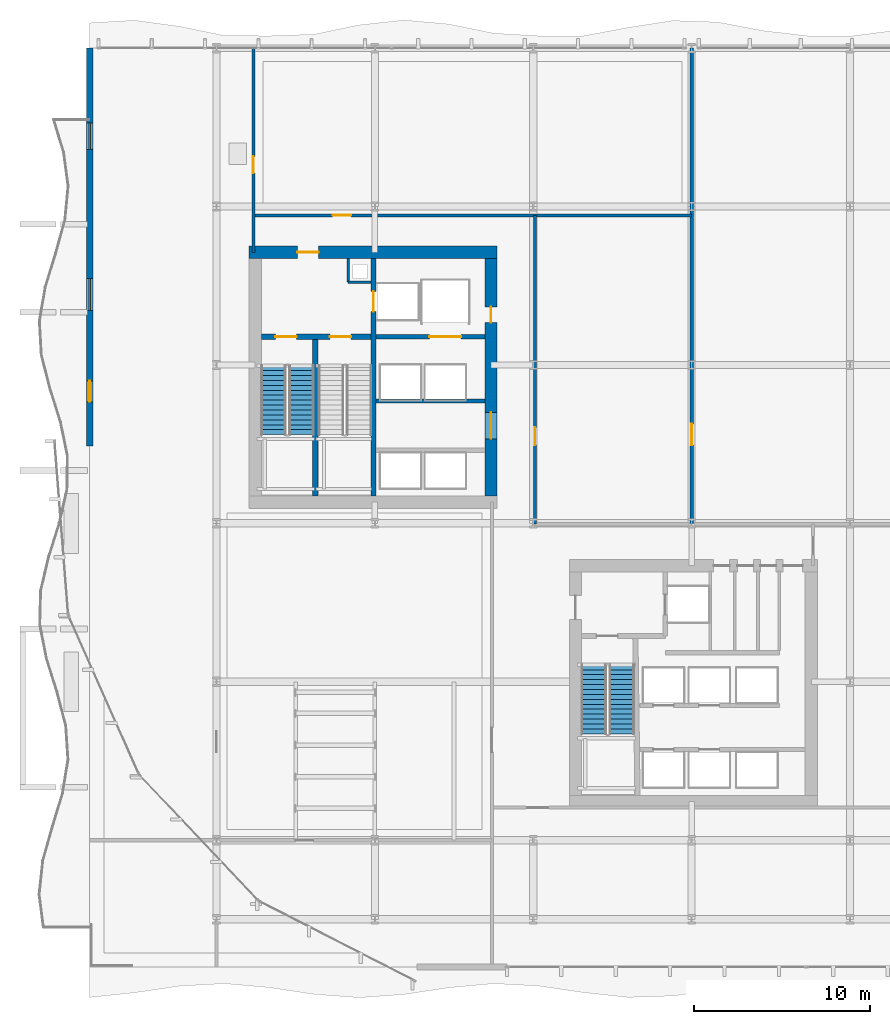
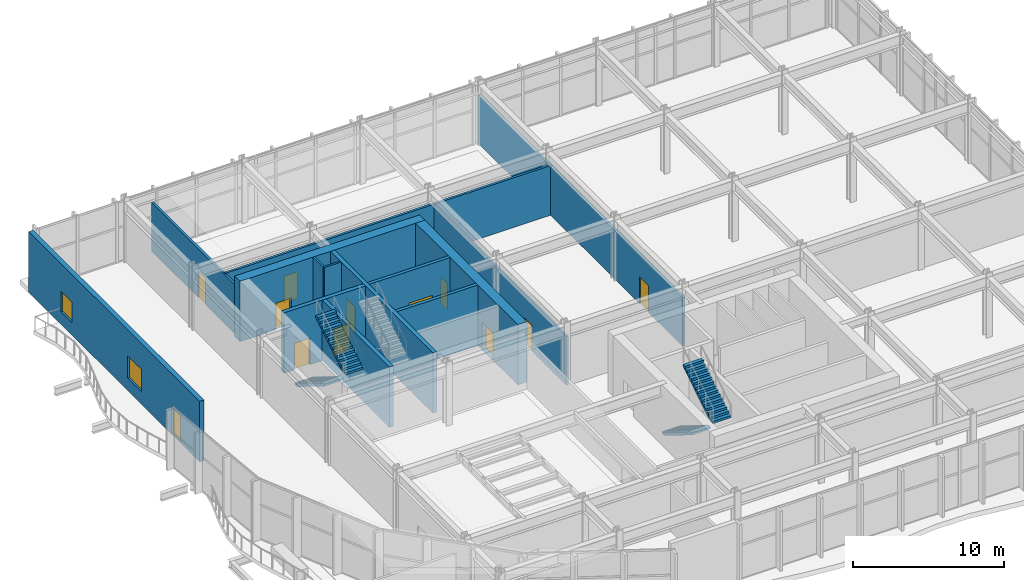
# One storey, part 24 of 33: 14 walls, 12 doors, 4 stair flights, 2 windows, 14 openings, 2 elements without a shape of their own.
"""IFC4 building model written with IfcOpenShell, lengths in metres."""

from ifc_helpers import new_model, si_unit, direction, frame, frame_2d, origin, place, context, subcontext, project, spatial, polyline, rectangle, outline, extrude, material, layer, layer_set, type_object, element, fill, aggregate, save


model = new_model("IFC4")

# Units and contexts
model_context = context("Model", 3, precision=1e-05, world=origin(), true_north=direction((0.0, 1.0)))
body_context = subcontext(model_context, "Body", "Model", "MODEL_VIEW")
ifc_project = project(units=[si_unit("LENGTHUNIT", "METRE"), si_unit("AREAUNIT", "SQUARE_METRE"), si_unit("VOLUMEUNIT", "CUBIC_METRE"), si_unit("PLANEANGLEUNIT", "RADIAN"), si_unit("MASSUNIT", "GRAM", prefix="KILO")], contexts=[model_context])

# Site, building, storey
site_placement = place(None, origin())
site = spatial("IfcSite", under=ifc_project, at=site_placement, CompositionType="ELEMENT")
building_placement = place(site_placement, origin())
building = spatial("IfcBuilding", under=site, at=building_placement, Name="Solvaryn Broadcast Tower", CompositionType="ELEMENT")
storey_placement = place(building_placement, frame((0.0, 0.0, 5.800048828125)))
storey = spatial("IfcBuildingStorey", under=building, at=storey_placement, Name="L01", CompositionType="ELEMENT", Elevation=5.800048828125)

# Wall, opening, door
ifc_material_1 = material(Name="Concrete f'c 70 MPa", Category="concrete")
ifc_layer_1 = layer(ifc_material_1, 0.699951171875)
ifc_layer_set_1 = layer_set([ifc_layer_1], Name="CW-SHEAR-700")
wall_type_1 = type_object("IfcWallType", Name="CW-SHEAR-700", PredefinedType="SHEAR", material=ifc_layer_set_1)
wall_1_placement = place(storey_placement, frame((24.949951171875, 42.39990234375, 0.0), z_axis=(0.0, 0.0, 1.0), x_axis=(-1.0, 0.0, 0.0)))
wall_1 = element("IfcWall", 1, at=wall_1_placement, inside=storey, type_object=wall_type_1, Name="L01 West Core North Shear Wall", PredefinedType="SHEAR", context=body_context, shape_type="SweptSolid", body=[
    extrude(rectangle(XDim=14.099853515625, YDim=0.699951171875, at=frame_2d((7.0498046875, 0.0))), origin(), (0.0, 0.0, 1.0), 4.8798828125),
])
opening_1_placement = place(wall_1_placement, frame((10.14990234375, 0.0, 0.0)))
opening_1 = element("IfcOpeningElement", 2, at=opening_1_placement, cuts=wall_1, Name="Opening FD90A", PredefinedType="OPENING", context=body_context, shape_type="SweptSolid", body=[
    extrude(rectangle(XDim=1.199951171875, YDim=2.14990234375, at=frame_2d((0.60009765625, 1.074951171875))), frame((0.0, 0.360107421875, 0.0), z_axis=(0.0, -1.0, 0.0), x_axis=(1.0, 0.0, 0.0)), (0.0, 0.0, 1.0), 0.719970703125),
])
ifc_material_2 = material(Name="Flush Acoustic Steel and Timber Door Assembly", Category="steel")
door_type_1 = type_object("IfcDoorType", Name="FD90-STAIR-1200X2150", OperationType="NOTDEFINED", PredefinedType="DOOR", material=ifc_material_2)
door_1_placement = place(opening_1_placement, origin())
door_1 = element("IfcDoor", 3, at=door_1_placement, inside=storey, type_object=door_type_1, Name="L01 West FSAE Lobby Corridor Door", OperationType="SINGLE_SWING_LEFT", OverallHeight=2.14990234375, OverallWidth=1.199951171875, PredefinedType="DOOR", context=body_context, shape_type="SweptSolid", body=[
    extrude(rectangle(XDim=1.199951171875, YDim=2.14990234375, at=frame_2d((0.60009765625, 1.074951171875))), frame((0.0, 0.02490234375, 0.0), z_axis=(0.0, -1.0, 0.0), x_axis=(1.0, 0.0, 0.0)), (0.0, 0.0, 1.0), 0.050048828125),
])
fill(opening_1, door_1)

# Wall, openings, doors
wall_2_placement = place(storey_placement, frame((24.60009765625, 28.550048828125, 0.0), z_axis=(0.0, 0.0, 1.0), x_axis=(0.0, 1.0, 0.0)))
wall_2 = element("IfcWall", 4, at=wall_2_placement, inside=storey, type_object=wall_type_1, Name="L01 West Core East Shear Wall", PredefinedType="SHEAR", context=body_context, shape_type="SweptSolid", body=[
    extrude(rectangle(XDim=13.5, YDim=0.699951171875, at=frame_2d((6.75, 0.0))), origin(), (0.0, 0.0, 1.0), 4.8798828125),
])
opening_2_placement = place(wall_2_placement, frame((3.25, 0.0, 0.0)))
opening_2 = element("IfcOpeningElement", 5, at=opening_2_placement, cuts=wall_2, Name="Opening FD60A", PredefinedType="OPENING", context=body_context, shape_type="SweptSolid", body=[
    extrude(rectangle(XDim=1.5, YDim=2.199951171875, at=frame_2d((0.75, 1.10009765625))), frame((0.0, 0.360107421875, 0.0), z_axis=(0.0, -1.0, 0.0), x_axis=(1.0, 0.0, 0.0)), (0.0, 0.0, 1.0), 0.719970703125),
])
opening_3_placement = place(wall_2_placement, frame((9.85009765625, 0.0, 0.0)))
opening_3 = element("IfcOpeningElement", 6, at=opening_3_placement, cuts=wall_2, Name="Opening FD60C", PredefinedType="OPENING", context=body_context, shape_type="SweptSolid", body=[
    extrude(rectangle(XDim=0.89990234375, YDim=2.10009765625, at=frame_2d((0.449951171875, 1.050048828125))), frame((0.0, 0.360107421875, 0.0), z_axis=(0.0, -1.0, 0.0), x_axis=(1.0, 0.0, 0.0)), (0.0, 0.0, 1.0), 0.719970703125),
])
ifc_material_3 = material(Name="Flush Acoustic Steel and Timber Door Assembly", Category="steel")
door_type_2 = type_object("IfcDoorType", Name="FD60-CORR-1500X2200", OperationType="NOTDEFINED", PredefinedType="DOOR", material=ifc_material_3)
door_2_placement = place(opening_2_placement, origin())
door_2 = element("IfcDoor", 7, at=door_2_placement, inside=storey, type_object=door_type_2, Name="L01 West Elevator Lobby Corridor Door", OperationType="DOUBLE_DOOR_SINGLE_SWING", OverallHeight=2.199951171875, OverallWidth=1.5, PredefinedType="DOOR", context=body_context, shape_type="SweptSolid", body=[
    extrude(rectangle(XDim=1.5, YDim=2.199951171875, at=frame_2d((0.75, 1.10009765625))), frame((0.0, 0.02490234375, 0.0), z_axis=(0.0, -1.0, 0.0), x_axis=(1.0, 0.0, 0.0)), (0.0, 0.0, 1.0), 0.050048828125),
])
fill(opening_2, door_2)
ifc_material_4 = material(Name="Flush Acoustic Steel and Timber Door Assembly", Category="steel")
door_type_3 = type_object("IfcDoorType", Name="FD60-SERV-900X2100", OperationType="NOTDEFINED", PredefinedType="DOOR", material=ifc_material_4)
door_3_placement = place(opening_3_placement, origin())
door_3 = element("IfcDoor", 8, at=door_3_placement, inside=storey, type_object=door_type_3, Name="L01 West Core Service Door 1", OperationType="SINGLE_SWING_LEFT", OverallHeight=2.10009765625, OverallWidth=0.89990234375, PredefinedType="DOOR", context=body_context, shape_type="SweptSolid", body=[
    extrude(rectangle(XDim=0.89990234375, YDim=2.10009765625, at=frame_2d((0.449951171875, 1.050048828125))), frame((0.0, 0.02490234375, 0.0), z_axis=(0.0, -1.0, 0.0), x_axis=(1.0, 0.0, 0.0)), (0.0, 0.0, 1.0), 0.050048828125),
])
fill(opening_3, door_3)

# Wall, openings, door, windows
ifc_material_5 = material(Name="Concrete f'c 50 MPa", Category="concrete")
ifc_layer_2 = layer(ifc_material_5, 0.35009765625)
ifc_layer_set_2 = layer_set([ifc_layer_2], Name="EW-STUDIO-350")
wall_type_2 = type_object("IfcWallType", Name="EW-STUDIO-350", PredefinedType="SOLIDWALL", material=ifc_layer_set_2)
wall_3_placement = place(storey_placement, frame((1.800048828125, 31.39990234375, 0.0), z_axis=(0.0, 0.0, 1.0), x_axis=(0.0, 1.0, 0.0)))
wall_3 = element("IfcWall", 9, at=wall_3_placement, inside=storey, type_object=wall_type_2, Name="L01 Podium West Door & Corner Wall", PredefinedType="SOLIDWALL", context=body_context, shape_type="SweptSolid", body=[
    extrude(rectangle(XDim=22.60009765625, YDim=0.35009765625, at=frame_2d((11.300048828125, 0.0))), origin(), (0.0, 0.0, 1.0), 4.8798828125),
])
opening_4_placement = place(wall_3_placement, frame((2.5, 0.0, 0.0)))
opening_4 = element("IfcOpeningElement", 10, at=opening_4_placement, cuts=wall_3, Name="Opening EDT01", PredefinedType="OPENING", context=body_context, shape_type="SweptSolid", body=[
    extrude(rectangle(XDim=1.199951171875, YDim=2.199951171875, at=frame_2d((0.60009765625, 1.10009765625))), frame((0.0, 0.18505859375, 0.0), z_axis=(0.0, -1.0, 0.0), x_axis=(1.0, 0.0, 0.0)), (0.0, 0.0, 1.0), 0.3701171875),
])
opening_5_placement = place(wall_3_placement, frame((7.699951171875, 0.0, 1.0)))
opening_5 = element("IfcOpeningElement", 11, at=opening_5_placement, cuts=wall_3, Name="Opening WN03", PredefinedType="OPENING", context=body_context, shape_type="SweptSolid", body=[
    extrude(rectangle(XDim=1.800048828125, YDim=1.800048828125, at=frame_2d((0.89990234375, 0.89990234375))), frame((0.0, 0.18505859375, 0.0), z_axis=(0.0, -1.0, 0.0), x_axis=(1.0, 0.0, 0.0)), (0.0, 0.0, 1.0), 0.3701171875),
])
opening_6_placement = place(wall_3_placement, frame((16.85009765625, 0.0, 1.0)))
opening_6 = element("IfcOpeningElement", 12, at=opening_6_placement, cuts=wall_3, Name="Opening WN02", PredefinedType="OPENING", context=body_context, shape_type="SweptSolid", body=[
    extrude(rectangle(XDim=1.5, YDim=1.64990234375, at=frame_2d((0.75, 0.824951171875))), frame((0.0, 0.18505859375, 0.0), z_axis=(0.0, -1.0, 0.0), x_axis=(1.0, 0.0, 0.0)), (0.0, 0.0, 1.0), 0.3701171875),
])
ifc_material_6 = material(Name="Insulated Architectural Aluminium and Glazing", Category="aluminium")
door_type_4 = type_object("IfcDoorType", Name="ED-TER-1200X2200", OperationType="NOTDEFINED", PredefinedType="DOOR", material=ifc_material_6)
door_4_placement = place(opening_4_placement, origin())
door_4 = element("IfcDoor", 13, at=door_4_placement, inside=storey, type_object=door_type_4, Name="L01 West Cascading Terrace Door", OperationType="SINGLE_SWING_LEFT", OverallHeight=2.199951171875, OverallWidth=1.199951171875, PredefinedType="DOOR", context=body_context, shape_type="SweptSolid", body=[
    extrude(rectangle(XDim=1.199951171875, YDim=2.199951171875, at=frame_2d((0.60009765625, 1.10009765625))), frame((0.0, 0.02490234375, 0.0), z_axis=(0.0, -1.0, 0.0), x_axis=(1.0, 0.0, 0.0)), (0.0, 0.0, 1.0), 0.050048828125),
])
fill(opening_4, door_4)
ifc_material_7 = material(Name="Thermally Broken Aluminium Acoustic Glazing", Category="aluminium")
window_type_1 = type_object("IfcWindowType", Name="WN-02-1500X1650", PartitioningType="SINGLE_PANEL", PredefinedType="WINDOW", material=ifc_material_7)
window_1_placement = place(opening_6_placement, origin())
window_1 = element("IfcWindow", 14, at=window_1_placement, inside=storey, type_object=window_type_1, Name="L01 West Studio Acoustic Window 2", OverallHeight=1.64990234375, OverallWidth=1.5, PartitioningType="SINGLE_PANEL", PredefinedType="WINDOW", context=body_context, shape_type="SweptSolid", body=[
    extrude(rectangle(XDim=1.5, YDim=1.64990234375, at=frame_2d((0.75, 0.824951171875))), frame((0.0, 0.030029296875, 0.0), z_axis=(0.0, -1.0, 0.0), x_axis=(1.0, 0.0, 0.0)), (0.0, 0.0, 1.0), 0.06005859375),
])
fill(opening_6, window_1)
ifc_material_8 = material(Name="Thermally Broken Aluminium Acoustic Glazing", Category="aluminium")
window_type_2 = type_object("IfcWindowType", Name="WN-03-1800X1800", PartitioningType="SINGLE_PANEL", PredefinedType="WINDOW", material=ifc_material_8)
window_2_placement = place(opening_5_placement, origin())
window_2 = element("IfcWindow", 15, at=window_2_placement, inside=storey, type_object=window_type_2, Name="L01 West Studio Acoustic Window 1", OverallHeight=1.800048828125, OverallWidth=1.800048828125, PartitioningType="SINGLE_PANEL", PredefinedType="WINDOW", context=body_context, shape_type="SweptSolid", body=[
    extrude(rectangle(XDim=1.800048828125, YDim=1.800048828125, at=frame_2d((0.89990234375, 0.89990234375))), frame((0.0, 0.030029296875, 0.0), z_axis=(0.0, -1.0, 0.0), x_axis=(1.0, 0.0, 0.0)), (0.0, 0.0, 1.0), 0.06005859375),
])
fill(opening_5, window_2)

# Walls
ifc_material_9 = material(Name="Metal-Stud Service Core Partition")
ifc_layer_3 = layer(ifc_material_9, 0.14990234375)
ifc_layer_set_3 = layer_set([ifc_layer_3], Name="IW-PART-150")
wall_type_3 = type_object("IfcWallType", Name="IW-PART-150", PredefinedType="PARTITIONING", material=ifc_layer_set_3)
wall_4_placement = place(storey_placement, frame((16.47998046875, 40.699951171875, 0.0), z_axis=(0.0, 0.0, 1.0), x_axis=(1.0, 0.0, 0.0)))
element("IfcWall", 16, at=wall_4_placement, inside=storey, type_object=wall_type_3, Name="L01 West Core Riser Shaft South Wall", PredefinedType="PARTITIONING", context=body_context, shape_type="SweptSolid", body=[
    extrude(rectangle(XDim=1.2900390625, YDim=0.14990234375, at=frame_2d((0.64501953125, 0.0))), origin(), (0.0, 0.0, 1.0), 4.8798828125),
])
wall_5_placement = place(storey_placement, frame((16.47998046875, 40.699951171875, 0.0), z_axis=(0.0, 0.0, 1.0), x_axis=(0.0, 1.0, 0.0)))
element("IfcWall", 17, at=wall_5_placement, inside=storey, type_object=wall_type_3, Name="L01 West Core Riser Shaft West Wall", PredefinedType="PARTITIONING", context=body_context, shape_type="SweptSolid", body=[
    extrude(rectangle(XDim=1.35009765625, YDim=0.14990234375, at=frame_2d((0.675048828125, 0.0))), origin(), (0.0, 0.0, 1.0), 4.8798828125),
])

# Wall, opening, door
ifc_material_10 = material(Name="Acoustic Metal-Stud Gypsum Partition")
ifc_layer_4 = layer(ifc_material_10, 0.179931640625)
ifc_layer_set_4 = layer_set([ifc_layer_4], Name="IW-PART-180")
wall_type_4 = type_object("IfcWallType", Name="IW-PART-180", PredefinedType="PARTITIONING", material=ifc_layer_set_4)
wall_6_placement = place(storey_placement, frame((27.10009765625, 26.949951171875, 0.0), z_axis=(0.0, 0.0, 1.0), x_axis=(0.0, 1.0, 0.0)))
wall_6 = element("IfcWall", 18, at=wall_6_placement, inside=storey, type_object=wall_type_4, Name="L01 Interior Partition IW-L01-PW6", PredefinedType="PARTITIONING", context=body_context, shape_type="SweptSolid", body=[
    extrude(rectangle(XDim=17.550048828125, YDim=0.179931640625, at=frame_2d((8.77490234375, 0.0))), origin(), (0.0, 0.0, 1.0), 3.932861328125),
])
opening_7_placement = place(wall_6_placement, frame((4.5, 0.0, 0.0)))
opening_7 = element("IfcOpeningElement", 19, at=opening_7_placement, cuts=wall_6, Name="Opening ID02", PredefinedType="OPENING", context=body_context, shape_type="SweptSolid", body=[
    extrude(rectangle(XDim=1.0, YDim=2.10009765625, at=frame_2d((0.5, 1.050048828125))), frame((0.0, 0.099853515625, 0.0), z_axis=(0.0, -1.0, 0.0), x_axis=(1.0, 0.0, 0.0)), (0.0, 0.0, 1.0), 0.199951171875),
])
ifc_material_11 = material(Name="Flush Acoustic Steel and Timber Door Assembly", Category="steel")
door_type_5 = type_object("IfcDoorType", Name="ID-02-1000X2100", OperationType="NOTDEFINED", PredefinedType="DOOR", material=ifc_material_11)
door_5_placement = place(opening_7_placement, origin())
door_5 = element("IfcDoor", 20, at=door_5_placement, inside=storey, type_object=door_type_5, Name="L01 Door DR-L01-PD4", OperationType="SINGLE_SWING_RIGHT", OverallHeight=2.10009765625, OverallWidth=1.0, PredefinedType="DOOR", context=body_context, shape_type="SweptSolid", body=[
    extrude(rectangle(XDim=1.0, YDim=2.10009765625, at=frame_2d((0.5, 1.050048828125))), frame((0.0, 0.02490234375, 0.0), z_axis=(0.0, -1.0, 0.0), x_axis=(1.0, 0.0, 0.0)), (0.0, 0.0, 1.0), 0.050048828125),
])
fill(opening_7, door_5)

wall_7_placement = place(storey_placement, frame((11.10009765625, 44.5, 0.0), z_axis=(0.0, 0.0, 1.0), x_axis=(1.0, 0.0, 0.0)))
wall_7 = element("IfcWall", 21, at=wall_7_placement, inside=storey, type_object=wall_type_4, Name="L01 Interior Partition IW-L01-PW7", PredefinedType="PARTITIONING", context=body_context, shape_type="SweptSolid", body=[
    extrude(rectangle(XDim=24.89990234375, YDim=0.179931640625, at=frame_2d((12.449951171875, 0.0))), origin(), (0.0, 0.0, 1.0), 4.0048828125),
])
opening_8_placement = place(wall_7_placement, frame((4.5, 0.0, 0.0)))
opening_8 = element("IfcOpeningElement", 22, at=opening_8_placement, cuts=wall_7, Name="Opening ID03", PredefinedType="OPENING", context=body_context, shape_type="SweptSolid", body=[
    extrude(rectangle(XDim=1.050048828125, YDim=2.14990234375, at=frame_2d((0.52490234375, 1.074951171875))), frame((0.0, 0.099853515625, 0.0), z_axis=(0.0, -1.0, 0.0), x_axis=(1.0, 0.0, 0.0)), (0.0, 0.0, 1.0), 0.199951171875),
])
ifc_material_12 = material(Name="Flush Acoustic Steel and Timber Door Assembly", Category="steel")
door_type_6 = type_object("IfcDoorType", Name="ID-03-1050X2150", OperationType="NOTDEFINED", PredefinedType="DOOR", material=ifc_material_12)
door_6_placement = place(opening_8_placement, origin())
door_6 = element("IfcDoor", 23, at=door_6_placement, inside=storey, type_object=door_type_6, Name="L01 Door DR-L01-PD5", OperationType="SINGLE_SWING_LEFT", OverallHeight=2.14990234375, OverallWidth=1.050048828125, PredefinedType="DOOR", context=body_context, shape_type="SweptSolid", body=[
    extrude(rectangle(XDim=1.050048828125, YDim=2.14990234375, at=frame_2d((0.52490234375, 1.074951171875))), frame((0.0, 0.02490234375, 0.0), z_axis=(0.0, -1.0, 0.0), x_axis=(1.0, 0.0, 0.0)), (0.0, 0.0, 1.0), 0.050048828125),
])
fill(opening_8, door_6)

wall_8_placement = place(storey_placement, frame((36.0, 26.949951171875, 0.0), z_axis=(0.0, 0.0, 1.0), x_axis=(0.0, 1.0, 0.0)))
wall_8 = element("IfcWall", 24, at=wall_8_placement, inside=storey, type_object=wall_type_4, Name="L01 Interior Partition IW-L01-PW8", PredefinedType="PARTITIONING", context=body_context, shape_type="SweptSolid", body=[
    extrude(rectangle(XDim=27.050048828125, YDim=0.179931640625, at=frame_2d((13.52490234375, 0.0))), origin(), (0.0, 0.0, 1.0), 3.932861328125),
])
opening_9_placement = place(wall_8_placement, frame((4.5, 0.0, 0.0)))
opening_9 = element("IfcOpeningElement", 25, at=opening_9_placement, cuts=wall_8, Name="Opening ID04", PredefinedType="OPENING", context=body_context, shape_type="SweptSolid", body=[
    extrude(rectangle(XDim=1.199951171875, YDim=2.14990234375, at=frame_2d((0.60009765625, 1.074951171875))), frame((0.0, 0.099853515625, 0.0), z_axis=(0.0, -1.0, 0.0), x_axis=(1.0, 0.0, 0.0)), (0.0, 0.0, 1.0), 0.199951171875),
])
ifc_material_13 = material(Name="Flush Acoustic Steel and Timber Door Assembly", Category="steel")
door_type_7 = type_object("IfcDoorType", Name="ID-04-1200X2150", OperationType="NOTDEFINED", PredefinedType="DOOR", material=ifc_material_13)
door_7_placement = place(opening_9_placement, origin())
door_7 = element("IfcDoor", 26, at=door_7_placement, inside=storey, type_object=door_type_7, Name="L01 Door DR-L01-PD6", OperationType="SINGLE_SWING_RIGHT", OverallHeight=2.14990234375, OverallWidth=1.199951171875, PredefinedType="DOOR", context=body_context, shape_type="SweptSolid", body=[
    extrude(rectangle(XDim=1.199951171875, YDim=2.14990234375, at=frame_2d((0.60009765625, 1.074951171875))), frame((0.0, 0.02490234375, 0.0), z_axis=(0.0, -1.0, 0.0), x_axis=(1.0, 0.0, 0.0)), (0.0, 0.0, 1.0), 0.050048828125),
])
fill(opening_9, door_7)

wall_9_placement = place(storey_placement, frame((11.10009765625, 42.39990234375, 0.0), z_axis=(0.0, 0.0, 1.0), x_axis=(0.0, 1.0, 0.0)))
wall_9 = element("IfcWall", 27, at=wall_9_placement, inside=storey, type_object=wall_type_4, Name="L01 Interior Partition IW-L01-PW9", PredefinedType="PARTITIONING", context=body_context, shape_type="SweptSolid", body=[
    extrude(rectangle(XDim=11.60009765625, YDim=0.179931640625, at=frame_2d((5.800048828125, 0.0))), origin(), (0.0, 0.0, 1.0), 3.932861328125),
])
opening_10_placement = place(wall_9_placement, frame((4.5, 0.0, 0.0)))
opening_10 = element("IfcOpeningElement", 28, at=opening_10_placement, cuts=wall_9, Name="Opening ID01", PredefinedType="OPENING", context=body_context, shape_type="SweptSolid", body=[
    extrude(rectangle(XDim=0.949951171875, YDim=2.10009765625, at=frame_2d((0.47509765625, 1.050048828125))), frame((0.0, 0.099853515625, 0.0), z_axis=(0.0, -1.0, 0.0), x_axis=(1.0, 0.0, 0.0)), (0.0, 0.0, 1.0), 0.199951171875),
])
ifc_material_14 = material(Name="Flush Acoustic Steel and Timber Door Assembly", Category="steel")
door_type_8 = type_object("IfcDoorType", Name="ID-01-950X2100", OperationType="NOTDEFINED", PredefinedType="DOOR", material=ifc_material_14)
door_8_placement = place(opening_10_placement, origin())
door_8 = element("IfcDoor", 29, at=door_8_placement, inside=storey, type_object=door_type_8, Name="L01 Door DR-L01-PDN", OperationType="SINGLE_SWING_RIGHT", OverallHeight=2.10009765625, OverallWidth=0.949951171875, PredefinedType="DOOR", context=body_context, shape_type="SweptSolid", body=[
    extrude(rectangle(XDim=0.949951171875, YDim=2.10009765625, at=frame_2d((0.47509765625, 1.050048828125))), frame((0.0, 0.02490234375, 0.0), z_axis=(0.0, -1.0, 0.0), x_axis=(1.0, 0.0, 0.0)), (0.0, 0.0, 1.0), 0.050048828125),
])
fill(opening_10, door_8)

ifc_material_15 = material(Name="Concrete f'c 60 MPa", Category="concrete")
ifc_layer_5 = layer(ifc_material_15, 0.25)
ifc_layer_set_5 = layer_set([ifc_layer_5], Name="SW-SHAFT-250")
wall_type_5 = type_object("IfcWallType", Name="SW-SHAFT-250", PredefinedType="PARTITIONING", material=ifc_layer_set_5)
wall_10_placement = place(storey_placement, frame((18.070068359375, 37.60009765625, 0.0), z_axis=(0.0, 0.0, 1.0), x_axis=(1.0, 0.0, 0.0)))
wall_10 = element("IfcWall", 30, at=wall_10_placement, inside=storey, type_object=wall_type_5, Name="L01 West Core FSAE Hoistway Front Wall", PredefinedType="PARTITIONING", context=body_context, shape_type="SweptSolid", body=[
    extrude(rectangle(XDim=6.179931640625, YDim=0.25, at=frame_2d((3.08984375, 0.0))), origin(), (0.0, 0.0, 1.0), 4.8798828125),
])
opening_11_placement = place(wall_10_placement, frame((3.030029296875, 0.0, 0.0)))
opening_11 = element("IfcOpeningElement", 31, at=opening_11_placement, cuts=wall_10, Name="Opening LD02", PredefinedType="OPENING", context=body_context, shape_type="SweptSolid", body=[
    extrude(rectangle(XDim=1.800048828125, YDim=2.300048828125, at=frame_2d((0.89990234375, 1.14990234375))), frame((0.0, 0.135009765625, 0.0), z_axis=(0.0, -1.0, 0.0), x_axis=(1.0, 0.0, 0.0)), (0.0, 0.0, 1.0), 0.27001953125),
])
ifc_material_16 = material(Name="Flush Acoustic Steel and Timber Door Assembly", Category="steel")
door_type_9 = type_object("IfcDoorType", Name="LD-FREIGHT-1800X2300", OperationType="NOTDEFINED", PredefinedType="DOOR", material=ifc_material_16)
door_9_placement = place(opening_11_placement, origin())
door_9 = element("IfcDoor", 32, at=door_9_placement, inside=storey, type_object=door_type_9, Name="L01 SV1 Freight Lift Landing Door", OperationType="DOUBLE_DOOR_SLIDING", OverallHeight=2.300048828125, OverallWidth=1.800048828125, PredefinedType="DOOR", context=body_context, shape_type="SweptSolid", body=[
    extrude(rectangle(XDim=1.800048828125, YDim=2.300048828125, at=frame_2d((0.89990234375, 1.14990234375))), frame((0.0, 0.02490234375, 0.0), z_axis=(0.0, -1.0, 0.0), x_axis=(1.0, 0.0, 0.0)), (0.0, 0.0, 1.0), 0.050048828125),
])
fill(opening_11, door_9)

# Walls
wall_11_placement = place(storey_placement, frame((24.25, 33.949951171875, 0.0), z_axis=(0.0, 0.0, 1.0), x_axis=(-1.0, 0.0, 0.0)))
element("IfcWall", 33, at=wall_11_placement, inside=storey, type_object=wall_type_5, Name="L01 High-Rise Lift Bank North Wall", PredefinedType="PARTITIONING", context=body_context, shape_type="SweptSolid", body=[
    extrude(rectangle(XDim=6.179931640625, YDim=0.25, at=frame_2d((3.08984375, 0.0))), origin(), (0.0, 0.0, 1.0), 4.8798828125),
])
ifc_material_17 = material(Name="Concrete f'c 70 MPa", Category="concrete")
ifc_layer_6 = layer(ifc_material_17, 0.300048828125)
ifc_layer_set_6 = layer_set([ifc_layer_6], Name="SW-SHAFT-300")
wall_type_6 = type_object("IfcWallType", Name="SW-SHAFT-300", PredefinedType="SHEAR", material=ifc_layer_set_6)
wall_12_placement = place(storey_placement, frame((14.6201171875, 28.550048828125, 0.0), z_axis=(0.0, 0.0, 1.0), x_axis=(0.0, 1.0, 0.0)))
element("IfcWall", 34, at=wall_12_placement, inside=storey, type_object=wall_type_6, Name="L01 Stair 1-2 Dividing Wall", PredefinedType="SHEAR", context=body_context, shape_type="SweptSolid", body=[
    extrude(rectangle(XDim=8.89990234375, YDim=0.300048828125, at=frame_2d((4.449951171875, 0.0))), origin(), (0.0, 0.0, 1.0), 4.8798828125),
])

# Wall, opening, door
wall_13_placement = place(storey_placement, frame((17.919921875, 42.050048828125, 0.0), z_axis=(0.0, 0.0, 1.0), x_axis=(0.0, -1.0, 0.0)))
wall_13 = element("IfcWall", 35, at=wall_13_placement, inside=storey, type_object=wall_type_6, Name="L01 West Core Stair-Lobby Shear Wall", PredefinedType="SHEAR", context=body_context, shape_type="SweptSolid", body=[
    extrude(rectangle(XDim=13.5, YDim=0.300048828125, at=frame_2d((6.75, 0.0))), origin(), (0.0, 0.0, 1.0), 4.8798828125),
])
opening_12_placement = place(wall_13_placement, frame((1.875, 0.0, 0.0)))
opening_12 = element("IfcOpeningElement", 36, at=opening_12_placement, cuts=wall_13, Name="Opening LD01", PredefinedType="OPENING", context=body_context, shape_type="SweptSolid", body=[
    extrude(rectangle(XDim=1.14990234375, YDim=2.14990234375, at=frame_2d((0.574951171875, 1.074951171875))), frame((0.0, 0.159912109375, 0.0), z_axis=(0.0, -1.0, 0.0), x_axis=(1.0, 0.0, 0.0)), (0.0, 0.0, 1.0), 0.320068359375),
])
ifc_material_18 = material(Name="Flush Acoustic Steel and Timber Door Assembly", Category="steel")
door_type_10 = type_object("IfcDoorType", Name="LD-LIFT-1150X2150", OperationType="NOTDEFINED", PredefinedType="DOOR", material=ifc_material_18)
door_10_placement = place(opening_12_placement, origin())
door_10 = element("IfcDoor", 37, at=door_10_placement, inside=storey, type_object=door_type_10, Name="L01 FL1 Lift Landing Door", OperationType="DOUBLE_DOOR_SLIDING", OverallHeight=2.14990234375, OverallWidth=1.14990234375, PredefinedType="DOOR", context=body_context, shape_type="SweptSolid", body=[
    extrude(rectangle(XDim=1.14990234375, YDim=2.14990234375, at=frame_2d((0.574951171875, 1.074951171875))), frame((0.0, 0.02490234375, 0.0), z_axis=(0.0, -1.0, 0.0), x_axis=(1.0, 0.0, 0.0)), (0.0, 0.0, 1.0), 0.050048828125),
])
fill(opening_12, door_10)

# Wall, openings, doors
wall_14_placement = place(storey_placement, frame((17.77001953125, 37.60009765625, 0.0), z_axis=(0.0, 0.0, 1.0), x_axis=(-1.0, 0.0, 0.0)))
wall_14 = element("IfcWall", 38, at=wall_14_placement, inside=storey, type_object=wall_type_6, Name="L01 West Core FSAE Lobby South Wall", PredefinedType="SHEAR", context=body_context, shape_type="SweptSolid", body=[
    extrude(rectangle(XDim=6.219970703125, YDim=0.300048828125, at=frame_2d((3.10986328125, 0.0))), origin(), (0.0, 0.0, 1.0), 4.8798828125),
])
opening_13_placement = place(wall_14_placement, frame((4.219970703125, 0.0, 0.0)))
opening_13 = element("IfcOpeningElement", 39, at=opening_13_placement, cuts=wall_14, Name="Opening FD90A", PredefinedType="OPENING", context=body_context, shape_type="SweptSolid", body=[
    extrude(rectangle(XDim=1.199951171875, YDim=2.14990234375, at=frame_2d((0.60009765625, 1.074951171875))), frame((0.0, 0.159912109375, 0.0), z_axis=(0.0, -1.0, 0.0), x_axis=(1.0, 0.0, 0.0)), (0.0, 0.0, 1.0), 0.320068359375),
])
opening_14_placement = place(wall_14_placement, frame((1.1201171875, 0.0, 0.0)))
opening_14 = element("IfcOpeningElement", 40, at=opening_14_placement, cuts=wall_14, Name="Opening FD90A", PredefinedType="OPENING", context=body_context, shape_type="SweptSolid", body=[
    extrude(rectangle(XDim=1.199951171875, YDim=2.14990234375, at=frame_2d((0.60009765625, 1.074951171875))), frame((0.0, 0.159912109375, 0.0), z_axis=(0.0, -1.0, 0.0), x_axis=(1.0, 0.0, 0.0)), (0.0, 0.0, 1.0), 0.320068359375),
])
door_11_placement = place(opening_13_placement, origin())
door_11 = element("IfcDoor", 41, at=door_11_placement, inside=storey, type_object=door_type_1, Name="L01 Stair 1 Fire Door", OperationType="SINGLE_SWING_LEFT", OverallHeight=2.14990234375, OverallWidth=1.199951171875, PredefinedType="DOOR", context=body_context, shape_type="SweptSolid", body=[
    extrude(rectangle(XDim=1.199951171875, YDim=2.14990234375, at=frame_2d((0.60009765625, 1.074951171875))), frame((0.0, 0.02490234375, 0.0), z_axis=(0.0, -1.0, 0.0), x_axis=(1.0, 0.0, 0.0)), (0.0, 0.0, 1.0), 0.050048828125),
])
fill(opening_13, door_11)
door_12_placement = place(opening_14_placement, origin())
door_12 = element("IfcDoor", 42, at=door_12_placement, inside=storey, type_object=door_type_1, Name="L01 Stair 2 Fire Door", OperationType="SINGLE_SWING_RIGHT", OverallHeight=2.14990234375, OverallWidth=1.199951171875, PredefinedType="DOOR", context=body_context, shape_type="SweptSolid", body=[
    extrude(rectangle(XDim=1.199951171875, YDim=2.14990234375, at=frame_2d((0.60009765625, 1.074951171875))), frame((0.0, 0.02490234375, 0.0), z_axis=(0.0, -1.0, 0.0), x_axis=(1.0, 0.0, 0.0)), (0.0, 0.0, 1.0), 0.050048828125),
])
fill(opening_14, door_12)

# Stair, stair flights
ifc_material_19 = material(Name="Concrete f'c 60 MPa", Category="concrete")
stair_type = type_object("IfcStairType", Name="ST-CORE", PredefinedType="HALF_TURN_STAIR", material=ifc_material_19)
stair_1_placement = place(storey_placement, origin())
stair_1 = element("IfcStair", 43, at=stair_1_placement, inside=storey, type_object=stair_type, Name="L01 ST1", PredefinedType="HALF_TURN_STAIR")
ifc_material_20 = material(Name="Concrete f'c 60 MPa", Category="concrete")
ifc_layer_7 = layer(ifc_material_20, 0.159912109375)
ifc_layer_set_7 = layer_set([ifc_layer_7], Name="SF-CORE")
stair_flight_type = type_object("IfcStairFlightType", Name="SF-CORE", PredefinedType="STRAIGHT", material=ifc_layer_set_7)
stair_flight_1_placement = place(storey_placement, frame((12.239990234375, 35.9599609375, 0.0), z_axis=(0.0, 0.0, 1.0), x_axis=(0.0, -1.0, 0.0)))
stair_flight_1 = element("IfcStairFlight", 44, at=stair_flight_1_placement, type_object=stair_flight_type, Name="ST1 flight 1", NumberOfRisers=15, NumberOfTreads=14, PredefinedType="STRAIGHT", RiserHeight=0.173333333, TreadLength=0.28, context=body_context, shape_type="SweptSolid", body=[
    extrude(outline(polyline([(0.0, 0.0), (0.0, 0.17333984375), (0.280029296875, 0.17333984375), (0.280029296875, 0.3466796875), (0.56005859375, 0.3466796875), (0.56005859375, 0.52001953125), (0.840087890625, 0.52001953125), (0.840087890625, 0.693359375), (1.1201171875, 0.693359375), (1.1201171875, 0.86669921875), (1.39990234375, 0.86669921875), (1.39990234375, 1.0400390625), (1.679931640625, 1.0400390625), (1.679931640625, 1.21337890625), (1.9599609375, 1.21337890625), (1.9599609375, 1.38671875), (2.239990234375, 1.38671875), (2.239990234375, 1.56005859375), (2.52001953125, 1.56005859375), (2.52001953125, 1.7333984375), (2.800048828125, 1.7333984375), (2.800048828125, 1.90673828125), (3.080078125, 1.90673828125), (3.080078125, 2.080078125), (3.360107421875, 2.080078125), (3.360107421875, 2.25341796875), (3.639892578125, 2.25341796875), (3.639892578125, 2.4267578125), (3.919921875, 2.4267578125), (3.919921875, 2.60009765625), (3.919921875, 2.250244140625), (0.284912109375, 0.0), (0.0, 0.0)])), frame((0.0, 0.719970703125, 0.0), z_axis=(0.0, -1.0, 0.0), x_axis=(1.0, 0.0, 0.0)), (0.0, 0.0, 1.0), 1.43994140625),
])
stair_flight_2_placement = place(storey_placement, frame((13.830078125, 32.0400390625, 2.599853515625), z_axis=(0.0, 0.0, 1.0), x_axis=(0.0, 1.0, 0.0)))
stair_flight_2 = element("IfcStairFlight", 45, at=stair_flight_2_placement, type_object=stair_flight_type, Name="ST1 flight 2", NumberOfRisers=15, NumberOfTreads=14, PredefinedType="STRAIGHT", RiserHeight=0.173333333, TreadLength=0.28, context=body_context, shape_type="SweptSolid", body=[
    extrude(outline(polyline([(0.0, 0.0), (0.0, 0.17333984375), (0.280029296875, 0.17333984375), (0.280029296875, 0.3466796875), (0.56005859375, 0.3466796875), (0.56005859375, 0.52001953125), (0.840087890625, 0.52001953125), (0.840087890625, 0.693359375), (1.1201171875, 0.693359375), (1.1201171875, 0.86669921875), (1.39990234375, 0.86669921875), (1.39990234375, 1.0400390625), (1.679931640625, 1.0400390625), (1.679931640625, 1.21337890625), (1.9599609375, 1.21337890625), (1.9599609375, 1.38671875), (2.239990234375, 1.38671875), (2.239990234375, 1.56005859375), (2.52001953125, 1.56005859375), (2.52001953125, 1.7333984375), (2.800048828125, 1.7333984375), (2.800048828125, 1.90673828125), (3.080078125, 1.90673828125), (3.080078125, 2.080078125), (3.360107421875, 2.080078125), (3.360107421875, 2.25341796875), (3.639892578125, 2.25341796875), (3.639892578125, 2.4267578125), (3.919921875, 2.4267578125), (3.919921875, 2.60009765625), (3.919921875, 2.250244140625), (0.284912109375, 0.0), (0.0, 0.0)])), frame((0.0, 0.719970703125, 0.0), z_axis=(0.0, -1.0, 0.0), x_axis=(1.0, 0.0, 0.0)), (0.0, 0.0, 1.0), 1.43994140625),
])
aggregate(stair_1, [stair_flight_1, stair_flight_2])

stair_2_placement = place(storey_placement, origin())
stair_2 = element("IfcStair", 46, at=stair_2_placement, inside=storey, type_object=stair_type, Name="L01 ST3", PredefinedType="HALF_TURN_STAIR")
stair_flight_3_placement = place(storey_placement, frame((30.43994140625, 18.9599609375, 0.0), z_axis=(0.0, 0.0, 1.0), x_axis=(0.0, -1.0, 0.0)))
stair_flight_3 = element("IfcStairFlight", 47, at=stair_flight_3_placement, type_object=stair_flight_type, Name="ST3 flight 1", NumberOfRisers=15, NumberOfTreads=14, PredefinedType="STRAIGHT", RiserHeight=0.173333333, TreadLength=0.28, context=body_context, shape_type="SweptSolid", body=[
    extrude(outline(polyline([(0.0, 0.0), (0.0, 0.17333984375), (0.280029296875, 0.17333984375), (0.280029296875, 0.3466796875), (0.56005859375, 0.3466796875), (0.56005859375, 0.52001953125), (0.840087890625, 0.52001953125), (0.840087890625, 0.693359375), (1.1201171875, 0.693359375), (1.1201171875, 0.86669921875), (1.39990234375, 0.86669921875), (1.39990234375, 1.0400390625), (1.679931640625, 1.0400390625), (1.679931640625, 1.21337890625), (1.9599609375, 1.21337890625), (1.9599609375, 1.38671875), (2.239990234375, 1.38671875), (2.239990234375, 1.56005859375), (2.52001953125, 1.56005859375), (2.52001953125, 1.7333984375), (2.800048828125, 1.7333984375), (2.800048828125, 1.90673828125), (3.080078125, 1.90673828125), (3.080078125, 2.080078125), (3.360107421875, 2.080078125), (3.360107421875, 2.25341796875), (3.639892578125, 2.25341796875), (3.639892578125, 2.4267578125), (3.919921875, 2.4267578125), (3.919921875, 2.60009765625), (3.919921875, 2.250244140625), (0.284912109375, 0.0), (0.0, 0.0)])), frame((0.0, 0.719970703125, 0.0), z_axis=(0.0, -1.0, 0.0), x_axis=(1.0, 0.0, 0.0)), (0.0, 0.0, 1.0), 1.43994140625),
])
stair_flight_4_placement = place(storey_placement, frame((32.030029296875, 15.0400390625, 2.599853515625), z_axis=(0.0, 0.0, 1.0), x_axis=(0.0, 1.0, 0.0)))
stair_flight_4 = element("IfcStairFlight", 48, at=stair_flight_4_placement, type_object=stair_flight_type, Name="ST3 flight 2", NumberOfRisers=15, NumberOfTreads=14, PredefinedType="STRAIGHT", RiserHeight=0.173333333, TreadLength=0.28, context=body_context, shape_type="SweptSolid", body=[
    extrude(outline(polyline([(0.0, 0.0), (0.0, 0.17333984375), (0.280029296875, 0.17333984375), (0.280029296875, 0.3466796875), (0.56005859375, 0.3466796875), (0.56005859375, 0.52001953125), (0.840087890625, 0.52001953125), (0.840087890625, 0.693359375), (1.1201171875, 0.693359375), (1.1201171875, 0.86669921875), (1.39990234375, 0.86669921875), (1.39990234375, 1.0400390625), (1.679931640625, 1.0400390625), (1.679931640625, 1.21337890625), (1.9599609375, 1.21337890625), (1.9599609375, 1.38671875), (2.239990234375, 1.38671875), (2.239990234375, 1.56005859375), (2.52001953125, 1.56005859375), (2.52001953125, 1.7333984375), (2.800048828125, 1.7333984375), (2.800048828125, 1.90673828125), (3.080078125, 1.90673828125), (3.080078125, 2.080078125), (3.360107421875, 2.080078125), (3.360107421875, 2.25341796875), (3.639892578125, 2.25341796875), (3.639892578125, 2.4267578125), (3.919921875, 2.4267578125), (3.919921875, 2.60009765625), (3.919921875, 2.250244140625), (0.284912109375, 0.0), (0.0, 0.0)])), frame((0.0, 0.719970703125, 0.0), z_axis=(0.0, -1.0, 0.0), x_axis=(1.0, 0.0, 0.0)), (0.0, 0.0, 1.0), 1.43994140625),
])
aggregate(stair_2, [stair_flight_3, stair_flight_4])

save(model, "model.ifc")
